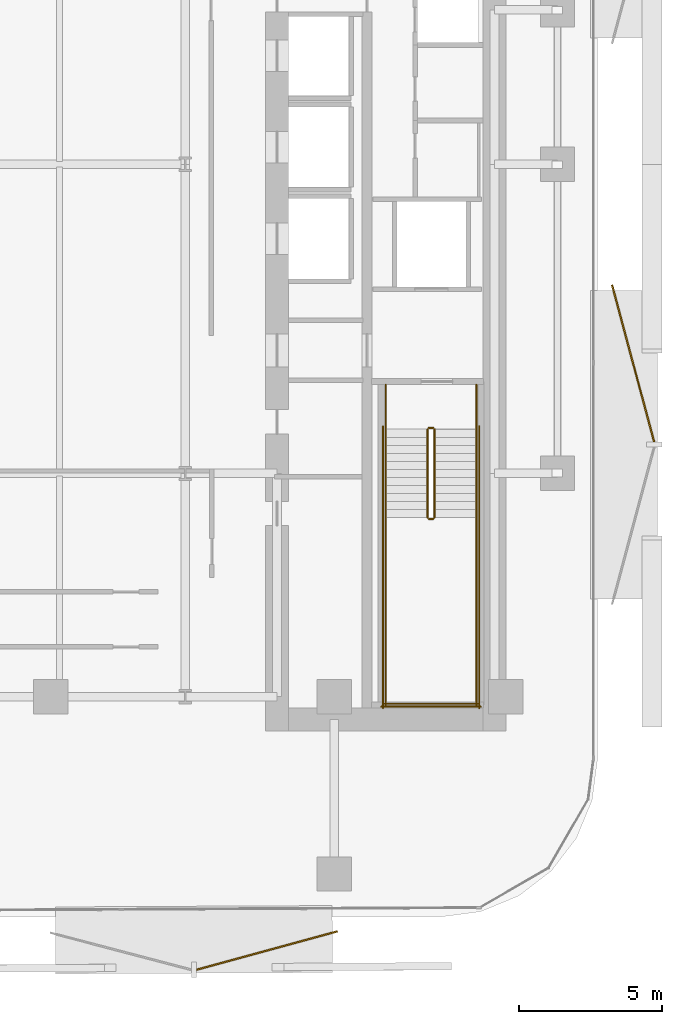
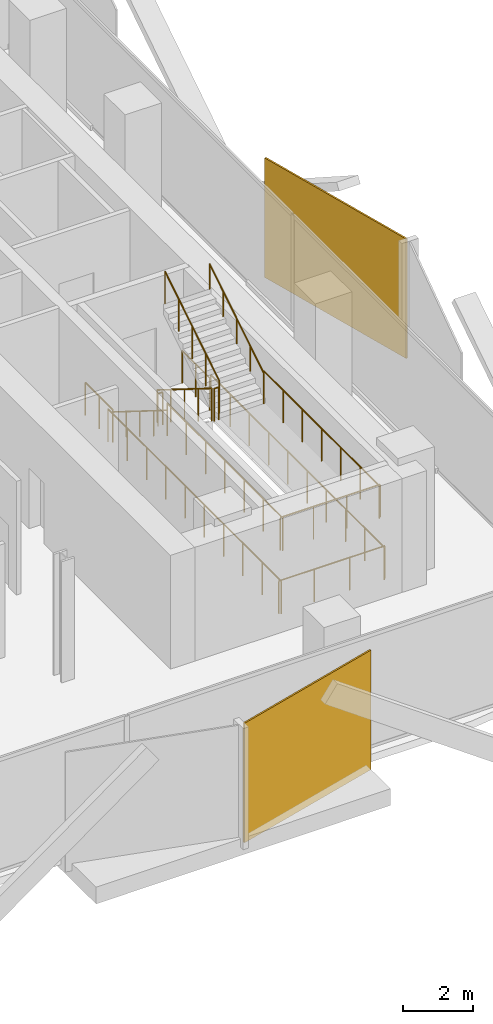
# One storey, part 13 of 15: 14 railings, 2 coverings.
"""IFC4 building model written with IfcOpenShell, lengths in metres."""

from ifc_helpers import new_model, si_unit, direction, frame, origin, origin_2d, place, context, subcontext, project, spatial, rectangle, circle, extrude, material, layer, layer_set, type_object, element, save


model = new_model("IFC4")

# Units and contexts
model_context = context("Model", 3, precision=1e-05, world=origin(), true_north=direction((0.0, 1.0)))
body_context = subcontext(model_context, "Body", "Model", "MODEL_VIEW")
ifc_project = project(units=[si_unit("LENGTHUNIT", "METRE"), si_unit("AREAUNIT", "SQUARE_METRE"), si_unit("VOLUMEUNIT", "CUBIC_METRE"), si_unit("PLANEANGLEUNIT", "RADIAN"), si_unit("MASSUNIT", "GRAM", prefix="KILO")], contexts=[model_context])

# Site, building, storey
site_placement = place(None, origin())
site = spatial("IfcSite", under=ifc_project, at=site_placement, CompositionType="ELEMENT")
building_placement = place(site_placement, origin())
building = spatial("IfcBuilding", under=site, at=building_placement, Name="Khairoan Windgate Tower", CompositionType="ELEMENT")
storey_placement = place(building_placement, frame((0.0, 0.0, 105.800048828125)))
storey = spatial("IfcBuildingStorey", under=building, at=storey_placement, Name="L24", CompositionType="ELEMENT", Elevation=105.800048828125)

# Coverings
ifc_material_1 = material(Name="Anodised Bronze Aluminium 6063-T6", Category="aluminium")
ifc_layer = layer(ifc_material_1, 0.054931640625, Name="Anodised Bronze Aluminium 6063-T6")
ifc_layer_set = layer_set([ifc_layer], Name="Anodised Bronze Aluminium 6063-T6")
covering_type = type_object("IfcCoveringType", Name="Perforated Bronze-Ceramic Folded Solar Screen Cladding BSC-1", PredefinedType="CLADDING", material=ifc_layer_set)
covering_1_placement = place(storey_placement, frame((12.05322265625, -27.472412109375, -0.10009765625), z_axis=(0.0, 0.0, 1.0), x_axis=(-0.964649468762, -0.263536339841, 0.0)))
element("IfcCovering", 1, at=covering_1_placement, inside=storey, type_object=covering_type, Name="L24 Folded Bronze Solar Screen Facet 137L", PredefinedType="CLADDING", context=body_context, shape_type="SweptSolid", body=[
    extrude(rectangle(XDim=5.10107421875, YDim=0.054931640625, at=origin_2d()), origin(), (0.0, 0.0, 1.0), 4.139892578125),
])
covering_2_placement = place(storey_placement, frame((24.8447265625, -6.961669921875, -0.10009765625), z_axis=(0.0, 0.0, 1.0), x_axis=(0.258819045103, -0.965925826289, 0.0)))
element("IfcCovering", 2, at=covering_2_placement, inside=storey, type_object=covering_type, Name="L24 Folded Bronze Solar Screen Facet 144L", PredefinedType="CLADDING", context=body_context, shape_type="SweptSolid", body=[
    extrude(rectangle(XDim=5.680908203125, YDim=0.054931640625, at=origin_2d()), origin(), (0.0, 0.0, 1.0), 4.139892578125),
])

# Railings
ifc_material_2 = material(Name="Anodised Bronze Aluminium 6063-T6", Category="aluminium")
railing_type_1 = type_object("IfcRailingType", Name="Stair Wall Handrail SHR-900", PredefinedType="HANDRAIL", material=ifc_material_2)
railing_1_placement = place(storey_placement, frame((16.199951171875, -9.260009765625, 0.175048828125)))
element("IfcRailing", 3, at=railing_1_placement, inside=storey, type_object=railing_type_1, Name="L24 ST1 stair handrail 1", PredefinedType="HANDRAIL", context=body_context, shape_type="SweptSolid", body=[
    extrude(circle(Radius=0.02392578125, at=origin_2d()), frame((0.0, 0.0, 0.8759765625), z_axis=(0.0, -0.848028513186, 0.529950602248), x_axis=(1.0, 0.0, 0.0)), (0.0, 0.0, 1.0), 3.632080078125),
    extrude(circle(Radius=0.02099609375, at=origin_2d()), origin(), (0.0, 0.0, 1.0), 0.851806640625),
    extrude(circle(Radius=0.02099609375, at=origin_2d()), frame((0.0, -0.77001953125, 0.481201171875)), (0.0, 0.0, 1.0), 0.851806640625),
    extrude(circle(Radius=0.02099609375, at=origin_2d()), frame((0.0, -1.5400390625, 0.96240234375)), (0.0, 0.0, 1.0), 0.851806640625),
    extrude(circle(Radius=0.02099609375, at=origin_2d()), frame((0.0, -2.31005859375, 1.443603515625)), (0.0, 0.0, 1.0), 0.851806640625),
    extrude(circle(Radius=0.02099609375, at=origin_2d()), frame((0.0, -3.080078125, 1.9248046875)), (0.0, 0.0, 1.0), 0.851806640625),
])
railing_2_placement = place(storey_placement, frame((19.3701171875, -12.340087890625, 2.27490234375)))
element("IfcRailing", 4, at=railing_2_placement, inside=storey, type_object=railing_type_1, Name="L24 ST1 stair handrail 2", PredefinedType="HANDRAIL", context=body_context, shape_type="SweptSolid", body=[
    extrude(circle(Radius=0.02392578125, at=origin_2d()), frame((0.0, 0.0, 0.8759765625), z_axis=(0.0, 0.847998304005, 0.529998940003), x_axis=(-1.0, 0.0, 0.0)), (0.0, 0.0, 1.0), 3.632080078125),
    extrude(circle(Radius=0.02099609375, at=origin_2d()), origin(), (0.0, 0.0, 1.0), 0.851806640625),
    extrude(circle(Radius=0.02099609375, at=origin_2d()), frame((0.0, 0.77001953125, 0.481201171875)), (0.0, 0.0, 1.0), 0.851806640625),
    extrude(circle(Radius=0.02099609375, at=origin_2d()), frame((0.0, 1.5400390625, 0.96240234375)), (0.0, 0.0, 1.0), 0.851806640625),
    extrude(circle(Radius=0.02099609375, at=origin_2d()), frame((0.0, 2.31005859375, 1.44384765625)), (0.0, 0.0, 1.0), 0.851806640625),
    extrude(circle(Radius=0.02099609375, at=origin_2d()), frame((0.0, 3.080078125, 1.925048828125)), (0.0, 0.0, 1.0), 0.851806640625),
])
ifc_material_3 = material(Name="Steel S355", Category="steel")
railing_type_2 = type_object("IfcRailingType", Name="Stairwell Safety Guardrail SGR-1150", PredefinedType="GUARDRAIL", material=ifc_material_3)
railing_3_placement = place(storey_placement, frame((17.659912109375, -9.260009765625, 0.175048828125)))
element("IfcRailing", 5, at=railing_3_placement, inside=storey, type_object=railing_type_2, Name="L24 ST1 stair guard 1", PredefinedType="GUARDRAIL", context=body_context, shape_type="SweptSolid", body=[
    extrude(circle(Radius=0.02392578125, at=origin_2d()), frame((0.0, 0.0, 1.1259765625), z_axis=(0.0, -0.848028513186, 0.529950602248), x_axis=(1.0, 0.0, 0.0)), (0.0, 0.0, 1.0), 3.632080078125),
    extrude(circle(Radius=0.02099609375, at=origin_2d()), origin(), (0.0, 0.0, 1.0), 1.101806640625),
    extrude(circle(Radius=0.02099609375, at=origin_2d()), frame((0.0, -0.77001953125, 0.481201171875)), (0.0, 0.0, 1.0), 1.101806640625),
    extrude(circle(Radius=0.02099609375, at=origin_2d()), frame((0.0, -1.5400390625, 0.96240234375)), (0.0, 0.0, 1.0), 1.101806640625),
    extrude(circle(Radius=0.02099609375, at=origin_2d()), frame((0.0, -2.31005859375, 1.443603515625)), (0.0, 0.0, 1.0), 1.101806640625),
    extrude(circle(Radius=0.02099609375, at=origin_2d()), frame((0.0, -3.080078125, 1.9248046875)), (0.0, 0.0, 1.0), 1.101806640625),
])
railing_4_placement = place(storey_placement, frame((17.7099609375, -12.389892578125, 2.099853515625)))
element("IfcRailing", 6, at=railing_4_placement, inside=storey, type_object=railing_type_2, Name="L24 ST1 stair guard 2", PredefinedType="GUARDRAIL", context=body_context, shape_type="SweptSolid", body=[
    extrude(circle(Radius=0.02392578125, at=origin_2d()), frame((0.0, 0.0, 1.1259765625), z_axis=(1.0, 0.0, 0.0), x_axis=(0.0, 1.0, 0.0)), (0.0, 0.0, 1.0), 0.150146484375),
    extrude(circle(Radius=0.02099609375, at=origin_2d()), origin(), (0.0, 0.0, 1.0), 1.101806640625),
    extrude(circle(Radius=0.02099609375, at=origin_2d()), frame((0.150146484375, 0.0, 0.0)), (0.0, 0.0, 1.0), 1.101806640625),
])
for number, where, name in (
    (7, (16.199951171875, -12.340087890625, 2.099853515625), "L24 ST1 stair guard 3"),
    (8, (19.3701171875, -12.340087890625, 2.099853515625), "L24 ST1 stair guard 4"),
):
    element("IfcRailing", number, at=place(storey_placement, frame(where)), inside=storey, type_object=railing_type_2, Name=name, PredefinedType="GUARDRAIL", context=body_context, shape_type="SweptSolid", body=[
        extrude(circle(Radius=0.02392578125, at=origin_2d()), frame((0.0, 0.0, 1.1259765625), z_axis=(0.0, -1.0, 0.0), x_axis=(1.0, 0.0, 0.0)), (0.0, 0.0, 1.0), 6.559814453125),
        extrude(circle(Radius=0.02099609375, at=origin_2d()), origin(), (0.0, 0.0, 1.0), 1.101806640625),
        extrude(circle(Radius=0.02099609375, at=origin_2d()), frame((0.0, -1.09326171875, 0.0)), (0.0, 0.0, 1.0), 1.101806640625),
        extrude(circle(Radius=0.02099609375, at=origin_2d()), frame((0.0, -2.1865234375, 0.0)), (0.0, 0.0, 1.0), 1.101806640625),
        extrude(circle(Radius=0.02099609375, at=origin_2d()), frame((0.0, -3.27978515625, 0.0)), (0.0, 0.0, 1.0), 1.101806640625),
        extrude(circle(Radius=0.02099609375, at=origin_2d()), frame((0.0, -4.373291015625, 0.0)), (0.0, 0.0, 1.0), 1.101806640625),
        extrude(circle(Radius=0.02099609375, at=origin_2d()), frame((0.0, -5.466552734375, 0.0)), (0.0, 0.0, 1.0), 1.101806640625),
        extrude(circle(Radius=0.02099609375, at=origin_2d()), frame((0.0, -6.559814453125, 0.0)), (0.0, 0.0, 1.0), 1.101806640625),
    ])
railing_5_placement = place(storey_placement, frame((16.14990234375, -18.85009765625, 2.099853515625)))
element("IfcRailing", 9, at=railing_5_placement, inside=storey, type_object=railing_type_2, Name="L24 ST1 stair guard 5", PredefinedType="GUARDRAIL", context=body_context, shape_type="SweptSolid", body=[
    extrude(circle(Radius=0.02392578125, at=origin_2d()), frame((0.0, 0.0, 1.1259765625), z_axis=(1.0, 0.0, 0.0), x_axis=(0.0, 1.0, 0.0)), (0.0, 0.0, 1.0), 3.27001953125),
    extrude(circle(Radius=0.02099609375, at=origin_2d()), origin(), (0.0, 0.0, 1.0), 1.101806640625),
    extrude(circle(Radius=0.02099609375, at=origin_2d()), frame((1.090087890625, 0.0, 0.0)), (0.0, 0.0, 1.0), 1.101806640625),
    extrude(circle(Radius=0.02099609375, at=origin_2d()), frame((2.179931640625, 0.0, 0.0)), (0.0, 0.0, 1.0), 1.101806640625),
    extrude(circle(Radius=0.02099609375, at=origin_2d()), frame((3.27001953125, 0.0, 0.0)), (0.0, 0.0, 1.0), 1.101806640625),
])
railing_6_placement = place(storey_placement, frame((17.909912109375, -12.340087890625, 2.27490234375)))
element("IfcRailing", 10, at=railing_6_placement, inside=storey, type_object=railing_type_2, Name="L24 ST1 stair guard 6", PredefinedType="GUARDRAIL", context=body_context, shape_type="SweptSolid", body=[
    extrude(circle(Radius=0.02392578125, at=origin_2d()), frame((0.0, 0.0, 1.1259765625), z_axis=(0.0, 0.847998304005, 0.529998940003), x_axis=(-1.0, 0.0, 0.0)), (0.0, 0.0, 1.0), 3.632080078125),
    extrude(circle(Radius=0.02099609375, at=origin_2d()), origin(), (0.0, 0.0, 1.0), 1.101806640625),
    extrude(circle(Radius=0.02099609375, at=origin_2d()), frame((0.0, 0.77001953125, 0.481201171875)), (0.0, 0.0, 1.0), 1.101806640625),
    extrude(circle(Radius=0.02099609375, at=origin_2d()), frame((0.0, 1.5400390625, 0.96240234375)), (0.0, 0.0, 1.0), 1.101806640625),
    extrude(circle(Radius=0.02099609375, at=origin_2d()), frame((0.0, 2.31005859375, 1.44384765625)), (0.0, 0.0, 1.0), 1.101806640625),
    extrude(circle(Radius=0.02099609375, at=origin_2d()), frame((0.0, 3.080078125, 1.925048828125)), (0.0, 0.0, 1.0), 1.101806640625),
])
railing_7_placement = place(storey_placement, frame((17.7099609375, -9.2099609375, 0.0)))
element("IfcRailing", 11, at=railing_7_placement, inside=storey, type_object=railing_type_2, Name="L24 ST1 stair guard 7", PredefinedType="GUARDRAIL", context=body_context, shape_type="SweptSolid", body=[
    extrude(circle(Radius=0.02392578125, at=origin_2d()), frame((0.0, 0.0, 1.1259765625), z_axis=(1.0, 0.0, 0.0), x_axis=(0.0, 1.0, 0.0)), (0.0, 0.0, 1.0), 0.150146484375),
    extrude(circle(Radius=0.02099609375, at=origin_2d()), origin(), (0.0, 0.0, 1.0), 1.101806640625),
    extrude(circle(Radius=0.02099609375, at=origin_2d()), frame((0.150146484375, 0.0, 0.0)), (0.0, 0.0, 1.0), 1.101806640625),
])
for number, where, name in (
    (12, (16.199951171875, -7.699951171875, 0.0), "L24 ST1 stair guard 8"),
    (13, (19.3701171875, -7.699951171875, 0.0), "L24 ST1 stair guard 9"),
):
    element("IfcRailing", number, at=place(storey_placement, frame(where)), inside=storey, type_object=railing_type_2, Name=name, PredefinedType="GUARDRAIL", context=body_context, shape_type="SweptSolid", body=[
        extrude(circle(Radius=0.02392578125, at=origin_2d()), frame((0.0, 0.0, 1.1259765625), z_axis=(0.0, -1.0, 0.0), x_axis=(1.0, 0.0, 0.0)), (0.0, 0.0, 1.0), 1.56005859375),
        extrude(circle(Radius=0.02099609375, at=origin_2d()), origin(), (0.0, 0.0, 1.0), 1.101806640625),
        extrude(circle(Radius=0.02099609375, at=origin_2d()), frame((0.0, -0.780029296875, 0.0)), (0.0, 0.0, 1.0), 1.101806640625),
        extrude(circle(Radius=0.02099609375, at=origin_2d()), frame((0.0, -1.56005859375, 0.0)), (0.0, 0.0, 1.0), 1.101806640625),
    ])
for number, where, name in (
    (14, (16.10009765625, -9.159912109375, 0.0), "L24 ST1 stair guard 10"),
    (15, (19.469970703125, -9.159912109375, 0.0), "L24 ST1 stair guard 11"),
):
    element("IfcRailing", number, at=place(storey_placement, frame(where)), inside=storey, type_object=railing_type_2, Name=name, PredefinedType="GUARDRAIL", context=body_context, shape_type="SweptSolid", body=[
        extrude(circle(Radius=0.02392578125, at=origin_2d()), frame((0.0, 0.0, 1.1259765625), z_axis=(0.0, -1.0, 0.0), x_axis=(1.0, 0.0, 0.0)), (0.0, 0.0, 1.0), 9.840087890625),
        extrude(circle(Radius=0.02099609375, at=origin_2d()), origin(), (0.0, 0.0, 1.0), 1.101806640625),
        extrude(circle(Radius=0.02099609375, at=origin_2d()), frame((0.0, -1.09326171875, 0.0)), (0.0, 0.0, 1.0), 1.101806640625),
        extrude(circle(Radius=0.02099609375, at=origin_2d()), frame((0.0, -2.186767578125, 0.0)), (0.0, 0.0, 1.0), 1.101806640625),
        extrude(circle(Radius=0.02099609375, at=origin_2d()), frame((0.0, -3.280029296875, 0.0)), (0.0, 0.0, 1.0), 1.101806640625),
        extrude(circle(Radius=0.02099609375, at=origin_2d()), frame((0.0, -4.373291015625, 0.0)), (0.0, 0.0, 1.0), 1.101806640625),
        extrude(circle(Radius=0.02099609375, at=origin_2d()), frame((0.0, -5.466796875, 0.0)), (0.0, 0.0, 1.0), 1.101806640625),
        extrude(circle(Radius=0.02099609375, at=origin_2d()), frame((0.0, -6.56005859375, 0.0)), (0.0, 0.0, 1.0), 1.101806640625),
        extrude(circle(Radius=0.02099609375, at=origin_2d()), frame((0.0, -7.6533203125, 0.0)), (0.0, 0.0, 1.0), 1.101806640625),
        extrude(circle(Radius=0.02099609375, at=origin_2d()), frame((0.0, -8.746826171875, 0.0)), (0.0, 0.0, 1.0), 1.101806640625),
        extrude(circle(Radius=0.02099609375, at=origin_2d()), frame((0.0, -9.840087890625, 0.0)), (0.0, 0.0, 1.0), 1.101806640625),
    ])
railing_8_placement = place(storey_placement, frame((16.050048828125, -18.949951171875, 0.0)))
element("IfcRailing", 16, at=railing_8_placement, inside=storey, type_object=railing_type_2, Name="L24 ST1 stair guard 12", PredefinedType="GUARDRAIL", context=body_context, shape_type="SweptSolid", body=[
    extrude(circle(Radius=0.02392578125, at=origin_2d()), frame((0.0, 0.0, 1.1259765625), z_axis=(1.0, 0.0, 0.0), x_axis=(0.0, 1.0, 0.0)), (0.0, 0.0, 1.0), 3.469970703125),
    extrude(circle(Radius=0.02099609375, at=origin_2d()), origin(), (0.0, 0.0, 1.0), 1.101806640625),
    extrude(circle(Radius=0.02099609375, at=origin_2d()), frame((1.15673828125, 0.0, 0.0)), (0.0, 0.0, 1.0), 1.101806640625),
    extrude(circle(Radius=0.02099609375, at=origin_2d()), frame((2.313232421875, 0.0, 0.0)), (0.0, 0.0, 1.0), 1.101806640625),
    extrude(circle(Radius=0.02099609375, at=origin_2d()), frame((3.469970703125, 0.0, 0.0)), (0.0, 0.0, 1.0), 1.101806640625),
])

save(model, "model.ifc")
